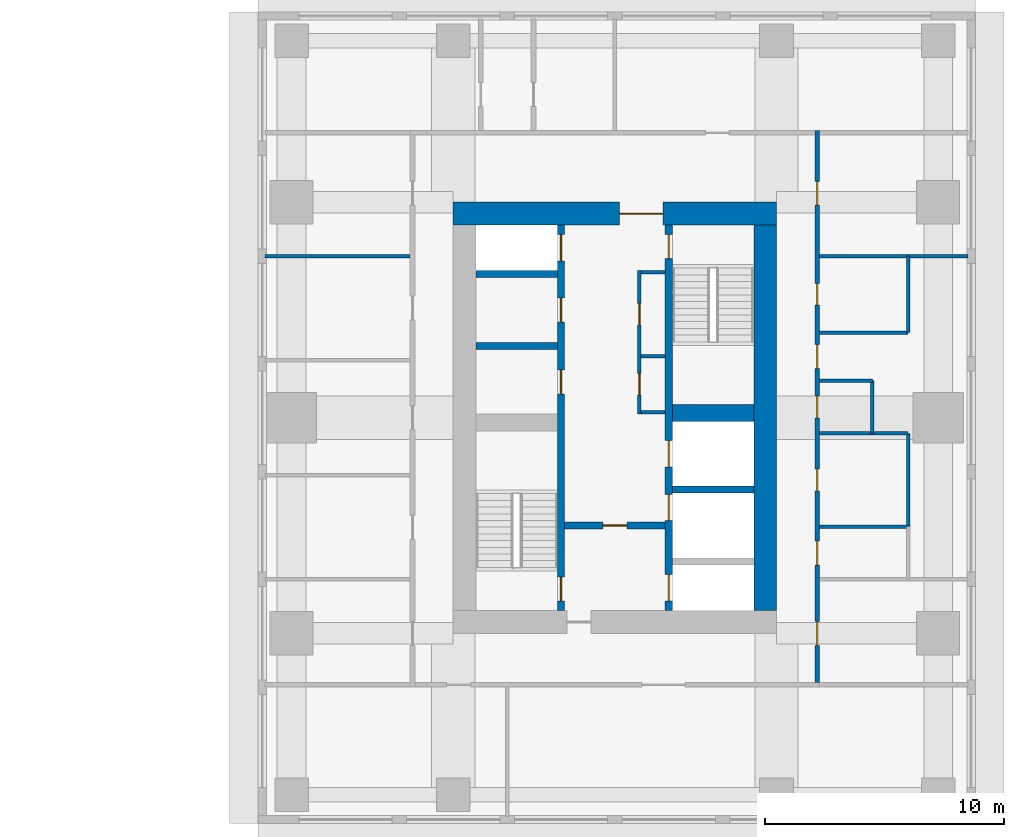
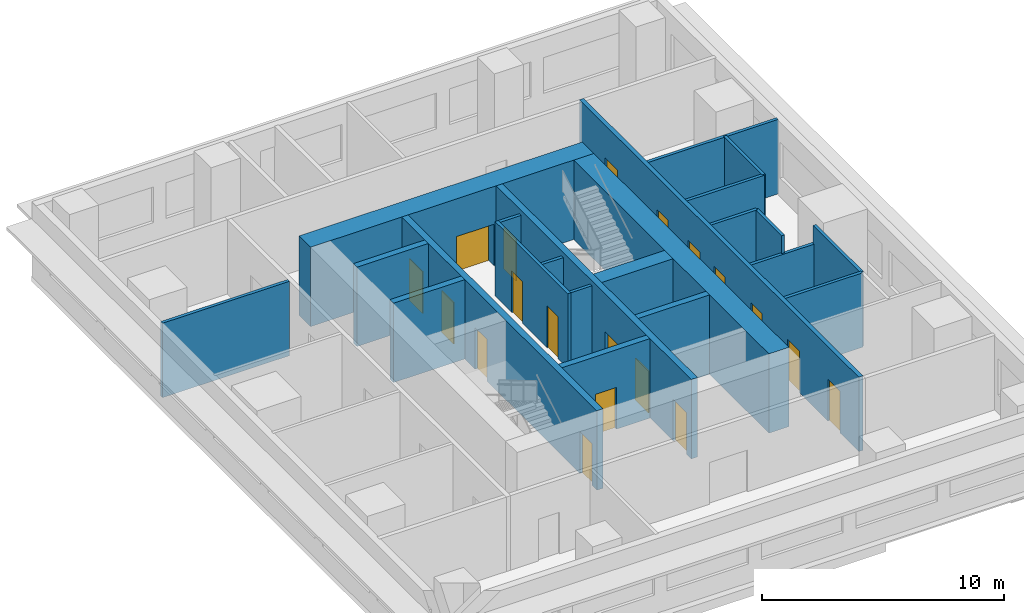
# One storey, part 7 of 11: 23 walls, 19 doors, 19 openings.
"""IFC4 building model written with IfcOpenShell, lengths in metres."""

from ifc_helpers import new_model, si_unit, direction, frame, frame_2d, origin, place, context, subcontext, project, spatial, rectangle, extrude, material, layer, layer_set, type_object, element, fill, save


model = new_model("IFC4")

# Units and contexts
model_context = context("Model", 3, precision=1e-05, world=origin(), true_north=direction((0.0, 1.0)))
body_context = subcontext(model_context, "Body", "Model", "MODEL_VIEW")
ifc_project = project(units=[si_unit("LENGTHUNIT", "METRE"), si_unit("AREAUNIT", "SQUARE_METRE"), si_unit("VOLUMEUNIT", "CUBIC_METRE"), si_unit("PLANEANGLEUNIT", "RADIAN"), si_unit("MASSUNIT", "GRAM", prefix="KILO")], contexts=[model_context])

# Site, building, storey
site_placement = place(None, origin())
site = spatial("IfcSite", under=ifc_project, at=site_placement, CompositionType="ELEMENT")
building_placement = place(site_placement, origin())
building = spatial("IfcBuilding", under=site, at=building_placement, Name="Namib Vertical Campus", CompositionType="ELEMENT")
storey_placement = place(building_placement, frame((0.0, 0.0, 185.0)))
storey = spatial("IfcBuildingStorey", under=building, at=storey_placement, Name="L43", CompositionType="ELEMENT", Elevation=185.0)

# Wall, openings, doors
ifc_material_1 = material(Name="Concrete C60/75", Category="concrete")
ifc_layer_1 = layer(ifc_material_1, 0.300048828125)
ifc_layer_set_1 = layer_set([ifc_layer_1], Name="Concrete C60/75")
wall_type_1 = type_object("IfcWallType", Name="Core inner wall 300", PredefinedType="SHEAR", material=ifc_layer_set_1)
wall_1_placement = place(storey_placement, frame((78.75, 12.199951171875, 0.0), z_axis=(0.0, 0.0, 1.0), x_axis=(0.0, 1.0, 0.0)))
wall_1 = element("IfcWall", 1, at=wall_1_placement, inside=storey, type_object=wall_type_1, Name="Core inner wall B L43 W1", PredefinedType="SHEAR", context=body_context, shape_type="SweptSolid", body=[
    extrude(rectangle(XDim=16.10009765625, YDim=0.300048828125, at=frame_2d((8.050048828125, 0.0))), origin(), (0.0, 0.0, 1.0), 4.0),
])
opening_1_placement = place(wall_1_placement, frame((0.39990234375, 0.0, 0.0)))
opening_1 = element("IfcOpeningElement", 2, at=opening_1_placement, cuts=wall_1, Name="Opening FD1", PredefinedType="OPENING", context=body_context, shape_type="SweptSolid", body=[
    extrude(rectangle(XDim=1.0, YDim=2.10009765625, at=frame_2d((0.5, 1.050048828125))), frame((0.0, 0.159912109375, 0.0), z_axis=(0.0, -1.0, 0.0), x_axis=(1.0, 0.0, 0.0)), (0.0, 0.0, 1.0), 0.320068359375),
])
opening_2_placement = place(wall_1_placement, frame((14.60009765625, 0.0, 0.0)))
opening_2 = element("IfcOpeningElement", 3, at=opening_2_placement, cuts=wall_1, Name="Opening LD1", PredefinedType="OPENING", context=body_context, shape_type="SweptSolid", body=[
    extrude(rectangle(XDim=1.10009765625, YDim=2.10009765625, at=frame_2d((0.550048828125, 1.050048828125))), frame((0.0, 0.159912109375, 0.0), z_axis=(0.0, -1.0, 0.0), x_axis=(1.0, 0.0, 0.0)), (0.0, 0.0, 1.0), 0.320068359375),
])
opening_3_placement = place(wall_1_placement, frame((9.050048828125, 0.0, 0.0)))
opening_3 = element("IfcOpeningElement", 4, at=opening_3_placement, cuts=wall_1, Name="Opening D1", PredefinedType="OPENING", context=body_context, shape_type="SweptSolid", body=[
    extrude(rectangle(XDim=1.0, YDim=2.10009765625, at=frame_2d((0.5, 1.050048828125))), frame((0.0, 0.159912109375, 0.0), z_axis=(0.0, -1.0, 0.0), x_axis=(1.0, 0.0, 0.0)), (0.0, 0.0, 1.0), 0.320068359375),
])
opening_4_placement = place(wall_1_placement, frame((12.050048828125, 0.0, 0.0)))
opening_4 = element("IfcOpeningElement", 5, at=opening_4_placement, cuts=wall_1, Name="Opening D1", PredefinedType="OPENING", context=body_context, shape_type="SweptSolid", body=[
    extrude(rectangle(XDim=1.0, YDim=2.10009765625, at=frame_2d((0.5, 1.050048828125))), frame((0.0, 0.159912109375, 0.0), z_axis=(0.0, -1.0, 0.0), x_axis=(1.0, 0.0, 0.0)), (0.0, 0.0, 1.0), 0.320068359375),
])
ifc_material_2 = material(Name="Timber door leaf", Category="wood")
door_type_1 = type_object("IfcDoorType", Name="Door single 1000x2100", OperationType="SINGLE_SWING_LEFT", PredefinedType="DOOR", material=ifc_material_2)
door_1_placement = place(opening_3_placement, origin())
door_1 = element("IfcDoor", 6, at=door_1_placement, inside=storey, type_object=door_type_1, Name="Door D1 Store B L43 P1", OperationType="SINGLE_SWING_LEFT", OverallHeight=2.10009765625, OverallWidth=1.0, PredefinedType="DOOR", context=body_context, shape_type="SweptSolid", body=[
    extrude(rectangle(XDim=1.0, YDim=2.10009765625, at=frame_2d((0.5, 1.050048828125))), frame((0.0, 0.02490234375, 0.0), z_axis=(0.0, -1.0, 0.0), x_axis=(1.0, 0.0, 0.0)), (0.0, 0.0, 1.0), 0.050048828125),
])
fill(opening_3, door_1)
door_2_placement = place(opening_4_placement, origin())
door_2 = element("IfcDoor", 7, at=door_2_placement, inside=storey, type_object=door_type_1, Name="Door D1 Comms room B L43 P2", OperationType="SINGLE_SWING_LEFT", OverallHeight=2.10009765625, OverallWidth=1.0, PredefinedType="DOOR", context=body_context, shape_type="SweptSolid", body=[
    extrude(rectangle(XDim=1.0, YDim=2.10009765625, at=frame_2d((0.5, 1.050048828125))), frame((0.0, 0.02490234375, 0.0), z_axis=(0.0, -1.0, 0.0), x_axis=(1.0, 0.0, 0.0)), (0.0, 0.0, 1.0), 0.050048828125),
])
fill(opening_4, door_2)
ifc_material_3 = material(Name="Steel fire door", Category="steel")
door_type_2 = type_object("IfcDoorType", Name="Fire door 1000x2100", OperationType="SINGLE_SWING_RIGHT", PredefinedType="DOOR", material=ifc_material_3)
door_3_placement = place(opening_1_placement, origin())
door_3 = element("IfcDoor", 8, at=door_3_placement, inside=storey, type_object=door_type_2, Name="Stair door FD1 B L43 S1", OperationType="SINGLE_SWING_LEFT", OverallHeight=2.10009765625, OverallWidth=1.0, PredefinedType="DOOR", context=body_context, shape_type="SweptSolid", body=[
    extrude(rectangle(XDim=1.0, YDim=2.10009765625, at=frame_2d((0.5, 1.050048828125))), frame((0.0, 0.02490234375, 0.0), z_axis=(0.0, -1.0, 0.0), x_axis=(1.0, 0.0, 0.0)), (0.0, 0.0, 1.0), 0.050048828125),
])
fill(opening_1, door_3)
ifc_material_4 = material(Name="Stainless steel lift door", Category="steel")
door_type_3 = type_object("IfcDoorType", Name="Lift landing door 1100x2100", OperationType="DOUBLE_DOOR_SLIDING", PredefinedType="DOOR", material=ifc_material_4)
door_4_placement = place(opening_2_placement, origin())
door_4 = element("IfcDoor", 9, at=door_4_placement, inside=storey, type_object=door_type_3, Name="Lift landing door LD1 B-P3 L43", OperationType="DOUBLE_DOOR_SLIDING", OverallHeight=2.10009765625, OverallWidth=1.10009765625, PredefinedType="DOOR", context=body_context, shape_type="SweptSolid", body=[
    extrude(rectangle(XDim=1.10009765625, YDim=2.10009765625, at=frame_2d((0.550048828125, 1.050048828125))), frame((0.0, 0.02490234375, 0.0), z_axis=(0.0, -1.0, 0.0), x_axis=(1.0, 0.0, 0.0)), (0.0, 0.0, 1.0), 0.050048828125),
])
fill(opening_2, door_4)

wall_2_placement = place(storey_placement, frame((83.25, 12.199951171875, 0.0), z_axis=(0.0, 0.0, 1.0), x_axis=(0.0, 1.0, 0.0)))
wall_2 = element("IfcWall", 10, at=wall_2_placement, inside=storey, type_object=wall_type_1, Name="Core inner wall B L43 W2", PredefinedType="SHEAR", context=body_context, shape_type="SweptSolid", body=[
    extrude(rectangle(XDim=16.10009765625, YDim=0.300048828125, at=frame_2d((8.050048828125, 0.0))), origin(), (0.0, 0.0, 1.0), 4.0),
])
opening_5_placement = place(wall_2_placement, frame((14.699951171875, 0.0, 0.0)))
opening_5 = element("IfcOpeningElement", 11, at=opening_5_placement, cuts=wall_2, Name="Opening FD1", PredefinedType="OPENING", context=body_context, shape_type="SweptSolid", body=[
    extrude(rectangle(XDim=1.0, YDim=2.10009765625, at=frame_2d((0.5, 1.050048828125))), frame((0.0, 0.159912109375, 0.0), z_axis=(0.0, -1.0, 0.0), x_axis=(1.0, 0.0, 0.0)), (0.0, 0.0, 1.0), 0.320068359375),
])
opening_6_placement = place(wall_2_placement, frame((0.39990234375, 0.0, 0.0)))
opening_6 = element("IfcOpeningElement", 12, at=opening_6_placement, cuts=wall_2, Name="Opening LD1", PredefinedType="OPENING", context=body_context, shape_type="SweptSolid", body=[
    extrude(rectangle(XDim=1.10009765625, YDim=2.10009765625, at=frame_2d((0.550048828125, 1.050048828125))), frame((0.0, 0.159912109375, 0.0), z_axis=(0.0, -1.0, 0.0), x_axis=(1.0, 0.0, 0.0)), (0.0, 0.0, 1.0), 0.320068359375),
])
opening_7_placement = place(wall_2_placement, frame((3.75, 0.0, 0.0)))
opening_7 = element("IfcOpeningElement", 13, at=opening_7_placement, cuts=wall_2, Name="Opening LD1", PredefinedType="OPENING", context=body_context, shape_type="SweptSolid", body=[
    extrude(rectangle(XDim=1.10009765625, YDim=2.10009765625, at=frame_2d((0.550048828125, 1.050048828125))), frame((0.0, 0.159912109375, 0.0), z_axis=(0.0, -1.0, 0.0), x_axis=(1.0, 0.0, 0.0)), (0.0, 0.0, 1.0), 0.320068359375),
])
opening_8_placement = place(wall_2_placement, frame((6.0, 0.0, 0.0)))
opening_8 = element("IfcOpeningElement", 14, at=opening_8_placement, cuts=wall_2, Name="Opening LD1", PredefinedType="OPENING", context=body_context, shape_type="SweptSolid", body=[
    extrude(rectangle(XDim=1.10009765625, YDim=2.10009765625, at=frame_2d((0.550048828125, 1.050048828125))), frame((0.0, 0.159912109375, 0.0), z_axis=(0.0, -1.0, 0.0), x_axis=(1.0, 0.0, 0.0)), (0.0, 0.0, 1.0), 0.320068359375),
])
door_5_placement = place(opening_5_placement, frame((1.0, 0.0, 0.0), z_axis=(0.0, 0.0, 1.0), x_axis=(-1.0, 0.0, 0.0)))
door_5 = element("IfcDoor", 15, at=door_5_placement, inside=storey, type_object=door_type_2, Name="Stair door FD1 B L43 S2", OperationType="SINGLE_SWING_LEFT", OverallHeight=2.10009765625, OverallWidth=1.0, PredefinedType="DOOR", context=body_context, shape_type="SweptSolid", body=[
    extrude(rectangle(XDim=1.0, YDim=2.10009765625, at=frame_2d((0.5, 1.050048828125))), frame((0.0, 0.02490234375, 0.0), z_axis=(0.0, -1.0, 0.0), x_axis=(1.0, 0.0, 0.0)), (0.0, 0.0, 1.0), 0.050048828125),
])
fill(opening_5, door_5)
door_6_placement = place(opening_6_placement, origin())
door_6 = element("IfcDoor", 16, at=door_6_placement, inside=storey, type_object=door_type_3, Name="Lift landing door LD1 B-FL1 L43", OperationType="DOUBLE_DOOR_SLIDING", OverallHeight=2.10009765625, OverallWidth=1.10009765625, PredefinedType="DOOR", context=body_context, shape_type="SweptSolid", body=[
    extrude(rectangle(XDim=1.10009765625, YDim=2.10009765625, at=frame_2d((0.550048828125, 1.050048828125))), frame((0.0, 0.02490234375, 0.0), z_axis=(0.0, -1.0, 0.0), x_axis=(1.0, 0.0, 0.0)), (0.0, 0.0, 1.0), 0.050048828125),
])
fill(opening_6, door_6)
door_7_placement = place(opening_7_placement, origin())
door_7 = element("IfcDoor", 17, at=door_7_placement, inside=storey, type_object=door_type_3, Name="Lift landing door LD1 B-P4 L43", OperationType="DOUBLE_DOOR_SLIDING", OverallHeight=2.10009765625, OverallWidth=1.10009765625, PredefinedType="DOOR", context=body_context, shape_type="SweptSolid", body=[
    extrude(rectangle(XDim=1.10009765625, YDim=2.10009765625, at=frame_2d((0.550048828125, 1.050048828125))), frame((0.0, 0.02490234375, 0.0), z_axis=(0.0, -1.0, 0.0), x_axis=(1.0, 0.0, 0.0)), (0.0, 0.0, 1.0), 0.050048828125),
])
fill(opening_7, door_7)
door_8_placement = place(opening_8_placement, origin())
door_8 = element("IfcDoor", 18, at=door_8_placement, inside=storey, type_object=door_type_3, Name="Lift landing door LD1 B-P5 L43", OperationType="DOUBLE_DOOR_SLIDING", OverallHeight=2.10009765625, OverallWidth=1.10009765625, PredefinedType="DOOR", context=body_context, shape_type="SweptSolid", body=[
    extrude(rectangle(XDim=1.10009765625, YDim=2.10009765625, at=frame_2d((0.550048828125, 1.050048828125))), frame((0.0, 0.02490234375, 0.0), z_axis=(0.0, -1.0, 0.0), x_axis=(1.0, 0.0, 0.0)), (0.0, 0.0, 1.0), 0.050048828125),
])
fill(opening_8, door_8)

# Wall, opening, door
wall_3_placement = place(storey_placement, frame((78.89990234375, 15.75, 0.0), z_axis=(0.0, 0.0, 1.0), x_axis=(1.0, 0.0, 0.0)))
wall_3 = element("IfcWall", 19, at=wall_3_placement, inside=storey, type_object=wall_type_1, Name="Core inner wall B L43 W4", PredefinedType="SHEAR", context=body_context, shape_type="SweptSolid", body=[
    extrude(rectangle(XDim=4.2001953125, YDim=0.300048828125, at=frame_2d((2.10009765625, 0.0))), origin(), (0.0, 0.0, 1.0), 4.0),
])
opening_9_placement = place(wall_3_placement, frame((1.60009765625, 0.0, 0.0)))
opening_9 = element("IfcOpeningElement", 20, at=opening_9_placement, cuts=wall_3, Name="Opening FD5", PredefinedType="OPENING", context=body_context, shape_type="SweptSolid", body=[
    extrude(rectangle(XDim=1.0, YDim=2.10009765625, at=frame_2d((0.5, 1.050048828125))), frame((0.0, 0.159912109375, 0.0), z_axis=(0.0, -1.0, 0.0), x_axis=(1.0, 0.0, 0.0)), (0.0, 0.0, 1.0), 0.320068359375),
])
ifc_material_5 = material(Name="Steel fire door", Category="steel")
door_type_4 = type_object("IfcDoorType", Name="Fire door 1000x2100 120 min", OperationType="SINGLE_SWING_RIGHT", PredefinedType="DOOR", material=ifc_material_5)
door_9_placement = place(opening_9_placement, frame((1.0, 0.0, 0.0), z_axis=(0.0, 0.0, 1.0), x_axis=(-1.0, 0.0, 0.0)))
door_9 = element("IfcDoor", 21, at=door_9_placement, inside=storey, type_object=door_type_4, Name="Lobby door FD5 B L43", OperationType="SINGLE_SWING_RIGHT", OverallHeight=2.10009765625, OverallWidth=1.0, PredefinedType="DOOR", context=body_context, shape_type="SweptSolid", body=[
    extrude(rectangle(XDim=1.0, YDim=2.10009765625, at=frame_2d((0.5, 1.050048828125))), frame((0.0, 0.02490234375, 0.0), z_axis=(0.0, -1.0, 0.0), x_axis=(1.0, 0.0, 0.0)), (0.0, 0.0, 1.0), 0.050048828125),
])
fill(opening_9, door_9)

# Walls
for number, where, z_axis, x_axis, name in (
    (22, (83.39990234375, 17.25, 0.0), (0.0, 0.0, 1.0), (1.0, 0.0, 0.0), "Core inner wall B L43 W6"),
    (23, (75.199951171875, 23.25, 0.0), (0.0, 0.0, 1.0), (1.0, 0.0, 0.0), "Core inner wall B L43 W8"),
    (24, (75.199951171875, 26.25, 0.0), (0.0, 0.0, 1.0), (1.0, 0.0, 0.0), "Core inner wall B L43 W9"),
):
    element("IfcWall", number, at=place(storey_placement, frame(where, z_axis=z_axis, x_axis=x_axis)), inside=storey, type_object=wall_type_1, Name=name, PredefinedType="SHEAR", context=body_context, shape_type="SweptSolid", body=[
        extrude(rectangle(XDim=3.400146484375, YDim=0.300048828125, at=frame_2d((1.7001953125, 0.0))), origin(), (0.0, 0.0, 1.0), 4.0),
    ])
ifc_material_6 = material(Name="Concrete C60/75", Category="concrete")
ifc_layer_2 = layer(ifc_material_6, 0.699951171875)
ifc_layer_set_2 = layer_set([ifc_layer_2], Name="Concrete C60/75")
wall_type_2 = type_object("IfcWallType", Name="Core shear wall 700", PredefinedType="SHEAR", material=ifc_layer_set_2)
wall_4_placement = place(storey_placement, frame((83.39990234375, 20.449951171875, 0.0), z_axis=(0.0, 0.0, 1.0), x_axis=(1.0, 0.0, 0.0)))
element("IfcWall", 25, at=wall_4_placement, inside=storey, type_object=wall_type_2, Name="Core shear wall B L43 W7", PredefinedType="SHEAR", context=body_context, shape_type="SweptSolid", body=[
    extrude(rectangle(XDim=3.400146484375, YDim=0.699951171875, at=frame_2d((1.7001953125, 0.0))), origin(), (0.0, 0.0, 1.0), 4.0),
])
ifc_material_7 = material(Name="Concrete C60/75", Category="concrete")
ifc_layer_3 = layer(ifc_material_7, 0.949951171875)
ifc_layer_set_3 = layer_set([ifc_layer_3], Name="Concrete C60/75")
wall_type_3 = type_object("IfcWallType", Name="Core wall 950", PredefinedType="SHEAR", material=ifc_layer_set_3)
wall_5_placement = place(storey_placement, frame((87.27490234375, 12.199951171875, 0.0), z_axis=(0.0, 0.0, 1.0), x_axis=(0.0, 1.0, 0.0)))
element("IfcWall", 26, at=wall_5_placement, inside=storey, type_object=wall_type_3, Name="Core wall B L43 2", PredefinedType="SHEAR", context=body_context, shape_type="SweptSolid", body=[
    extrude(rectangle(XDim=16.10009765625, YDim=0.949951171875, at=frame_2d((8.050048828125, 0.0))), origin(), (0.0, 0.0, 1.0), 4.0),
])

# Wall, opening, door
wall_6_placement = place(storey_placement, frame((87.75, 28.77490234375, 0.0), z_axis=(0.0, 0.0, 1.0), x_axis=(-1.0, 0.0, 0.0)))
wall_6 = element("IfcWall", 27, at=wall_6_placement, inside=storey, type_object=wall_type_3, Name="Core wall B L43 3", PredefinedType="SHEAR", context=body_context, shape_type="SweptSolid", body=[
    extrude(rectangle(XDim=13.5, YDim=0.949951171875, at=frame_2d((6.75, 0.0))), origin(), (0.0, 0.0, 1.0), 4.0),
])
opening_10_placement = place(wall_6_placement, frame((4.75, 0.0, 0.0)))
opening_10 = element("IfcOpeningElement", 28, at=opening_10_placement, cuts=wall_6, Name="Opening FD2", PredefinedType="OPENING", context=body_context, shape_type="SweptSolid", body=[
    extrude(rectangle(XDim=1.800048828125, YDim=2.10009765625, at=frame_2d((0.89990234375, 1.050048828125))), frame((0.0, 0.48486328125, 0.0), z_axis=(0.0, -1.0, 0.0), x_axis=(1.0, 0.0, 0.0)), (0.0, 0.0, 1.0), 0.969970703125),
])
ifc_material_8 = material(Name="Steel fire door", Category="steel")
door_type_5 = type_object("IfcDoorType", Name="Fire door double 1800x2100", OperationType="DOUBLE_DOOR_SINGLE_SWING", PredefinedType="DOOR", material=ifc_material_8)
door_10_placement = place(opening_10_placement, origin())
door_10 = element("IfcDoor", 29, at=door_10_placement, inside=storey, type_object=door_type_5, Name="Lift lobby door FD2 B L43", OperationType="DOUBLE_DOOR_SINGLE_SWING", OverallHeight=2.10009765625, OverallWidth=1.800048828125, PredefinedType="DOOR", context=body_context, shape_type="SweptSolid", body=[
    extrude(rectangle(XDim=1.800048828125, YDim=2.10009765625, at=frame_2d((0.89990234375, 1.050048828125))), frame((0.0, 0.02490234375, 0.0), z_axis=(0.0, -1.0, 0.0), x_axis=(1.0, 0.0, 0.0)), (0.0, 0.0, 1.0), 0.050048828125),
])
fill(opening_10, door_10)

# Wall, openings, doors
ifc_material_9 = material(Name="Concrete masonry", Category="masonry")
ifc_layer_4 = layer(ifc_material_9, 0.199951171875)
ifc_layer_set_4 = layer_set([ifc_layer_4], Name="Corridor wall 200")
wall_type_4 = type_object("IfcWallType", Name="Corridor wall 200", PredefinedType="SOLIDWALL", material=ifc_layer_set_4)
wall_7_placement = place(storey_placement, frame((89.449951171875, 9.199951171875, 0.0), z_axis=(0.0, 0.0, 1.0), x_axis=(0.0, 1.0, 0.0)))
wall_7 = element("IfcWall", 30, at=wall_7_placement, inside=storey, type_object=wall_type_4, Name="Corridor wall B L43 CE", PredefinedType="SOLIDWALL", context=body_context, shape_type="SweptSolid", body=[
    extrude(rectangle(XDim=23.050048828125, YDim=0.199951171875, at=frame_2d((11.52490234375, 0.0))), origin(), (0.0, 0.0, 1.0), 3.75),
])
opening_11_placement = place(wall_7_placement, frame((1.550048828125, 0.0, 0.0)))
opening_11 = element("IfcOpeningElement", 31, at=opening_11_placement, cuts=wall_7, Name="Opening CD1", PredefinedType="OPENING", context=body_context, shape_type="SweptSolid", body=[
    extrude(rectangle(XDim=1.0, YDim=2.10009765625, at=frame_2d((0.5, 1.050048828125))), frame((0.0, 0.10986328125, 0.0), z_axis=(0.0, -1.0, 0.0), x_axis=(1.0, 0.0, 0.0)), (0.0, 0.0, 1.0), 0.219970703125),
])
opening_12_placement = place(wall_7_placement, frame((4.89990234375, 0.0, 0.0)))
opening_12 = element("IfcOpeningElement", 32, at=opening_12_placement, cuts=wall_7, Name="Opening CD1", PredefinedType="OPENING", context=body_context, shape_type="SweptSolid", body=[
    extrude(rectangle(XDim=1.0, YDim=2.10009765625, at=frame_2d((0.5, 1.050048828125))), frame((0.0, 0.10986328125, 0.0), z_axis=(0.0, -1.0, 0.0), x_axis=(1.0, 0.0, 0.0)), (0.0, 0.0, 1.0), 0.219970703125),
])
opening_13_placement = place(wall_7_placement, frame((8.0, 0.0, 0.0)))
opening_13 = element("IfcOpeningElement", 33, at=opening_13_placement, cuts=wall_7, Name="Opening CD3", PredefinedType="OPENING", context=body_context, shape_type="SweptSolid", body=[
    extrude(rectangle(XDim=0.89990234375, YDim=2.10009765625, at=frame_2d((0.449951171875, 1.050048828125))), frame((0.0, 0.10986328125, 0.0), z_axis=(0.0, -1.0, 0.0), x_axis=(1.0, 0.0, 0.0)), (0.0, 0.0, 1.0), 0.219970703125),
])
opening_14_placement = place(wall_7_placement, frame((11.050048828125, 0.0, 0.0)))
opening_14 = element("IfcOpeningElement", 34, at=opening_14_placement, cuts=wall_7, Name="Opening CD3", PredefinedType="OPENING", context=body_context, shape_type="SweptSolid", body=[
    extrude(rectangle(XDim=0.89990234375, YDim=2.10009765625, at=frame_2d((0.449951171875, 1.050048828125))), frame((0.0, 0.10986328125, 0.0), z_axis=(0.0, -1.0, 0.0), x_axis=(1.0, 0.0, 0.0)), (0.0, 0.0, 1.0), 0.219970703125),
])
opening_15_placement = place(wall_7_placement, frame((15.75, 0.0, 0.0)))
opening_15 = element("IfcOpeningElement", 35, at=opening_15_placement, cuts=wall_7, Name="Opening CD3", PredefinedType="OPENING", context=body_context, shape_type="SweptSolid", body=[
    extrude(rectangle(XDim=0.89990234375, YDim=2.10009765625, at=frame_2d((0.449951171875, 1.050048828125))), frame((0.0, 0.10986328125, 0.0), z_axis=(0.0, -1.0, 0.0), x_axis=(1.0, 0.0, 0.0)), (0.0, 0.0, 1.0), 0.219970703125),
])
opening_16_placement = place(wall_7_placement, frame((13.10009765625, 0.0, 0.0)))
opening_16 = element("IfcOpeningElement", 36, at=opening_16_placement, cuts=wall_7, Name="Opening CD1", PredefinedType="OPENING", context=body_context, shape_type="SweptSolid", body=[
    extrude(rectangle(XDim=1.0, YDim=2.10009765625, at=frame_2d((0.5, 1.050048828125))), frame((0.0, 0.10986328125, 0.0), z_axis=(0.0, -1.0, 0.0), x_axis=(1.0, 0.0, 0.0)), (0.0, 0.0, 1.0), 0.219970703125),
])
opening_17_placement = place(wall_7_placement, frame((19.925048828125, 0.0, 0.0)))
opening_17 = element("IfcOpeningElement", 37, at=opening_17_placement, cuts=wall_7, Name="Opening CD1", PredefinedType="OPENING", context=body_context, shape_type="SweptSolid", body=[
    extrude(rectangle(XDim=1.0, YDim=2.10009765625, at=frame_2d((0.5, 1.050048828125))), frame((0.0, 0.10986328125, 0.0), z_axis=(0.0, -1.0, 0.0), x_axis=(1.0, 0.0, 0.0)), (0.0, 0.0, 1.0), 0.219970703125),
])
ifc_material_10 = material(Name="Timber fire door leaf", Category="wood")
door_type_6 = type_object("IfcDoorType", Name="Corridor door 1000x2100 20 min", OperationType="SINGLE_SWING_LEFT", PredefinedType="DOOR", material=ifc_material_10)
door_11_placement = place(opening_11_placement, frame((1.0, 0.0, 0.0), z_axis=(0.0, 0.0, 1.0), x_axis=(-1.0, 0.0, 0.0)))
door_11 = element("IfcDoor", 38, at=door_11_placement, inside=storey, type_object=door_type_6, Name="Door CD1 B43-03", OperationType="SINGLE_SWING_RIGHT", OverallHeight=2.10009765625, OverallWidth=1.0, PredefinedType="DOOR", context=body_context, shape_type="SweptSolid", body=[
    extrude(rectangle(XDim=1.0, YDim=2.10009765625, at=frame_2d((0.5, 1.050048828125))), frame((0.0, 0.02490234375, 0.0), z_axis=(0.0, -1.0, 0.0), x_axis=(1.0, 0.0, 0.0)), (0.0, 0.0, 1.0), 0.050048828125),
])
fill(opening_11, door_11)
door_12_placement = place(opening_12_placement, frame((1.0, 0.0, 0.0), z_axis=(0.0, 0.0, 1.0), x_axis=(-1.0, 0.0, 0.0)))
door_12 = element("IfcDoor", 39, at=door_12_placement, inside=storey, type_object=door_type_6, Name="Door CD1 B43-04", OperationType="SINGLE_SWING_RIGHT", OverallHeight=2.10009765625, OverallWidth=1.0, PredefinedType="DOOR", context=body_context, shape_type="SweptSolid", body=[
    extrude(rectangle(XDim=1.0, YDim=2.10009765625, at=frame_2d((0.5, 1.050048828125))), frame((0.0, 0.02490234375, 0.0), z_axis=(0.0, -1.0, 0.0), x_axis=(1.0, 0.0, 0.0)), (0.0, 0.0, 1.0), 0.050048828125),
])
fill(opening_12, door_12)
door_13_placement = place(opening_16_placement, frame((1.0, 0.0, 0.0), z_axis=(0.0, 0.0, 1.0), x_axis=(-1.0, 0.0, 0.0)))
door_13 = element("IfcDoor", 40, at=door_13_placement, inside=storey, type_object=door_type_6, Name="Door CD1 B43-08", OperationType="SINGLE_SWING_RIGHT", OverallHeight=2.10009765625, OverallWidth=1.0, PredefinedType="DOOR", context=body_context, shape_type="SweptSolid", body=[
    extrude(rectangle(XDim=1.0, YDim=2.10009765625, at=frame_2d((0.5, 1.050048828125))), frame((0.0, 0.02490234375, 0.0), z_axis=(0.0, -1.0, 0.0), x_axis=(1.0, 0.0, 0.0)), (0.0, 0.0, 1.0), 0.050048828125),
])
fill(opening_16, door_13)
door_14_placement = place(opening_17_placement, frame((1.0, 0.0, 0.0), z_axis=(0.0, 0.0, 1.0), x_axis=(-1.0, 0.0, 0.0)))
door_14 = element("IfcDoor", 41, at=door_14_placement, inside=storey, type_object=door_type_6, Name="Door CD1 B43-09", OperationType="SINGLE_SWING_RIGHT", OverallHeight=2.10009765625, OverallWidth=1.0, PredefinedType="DOOR", context=body_context, shape_type="SweptSolid", body=[
    extrude(rectangle(XDim=1.0, YDim=2.10009765625, at=frame_2d((0.5, 1.050048828125))), frame((0.0, 0.02490234375, 0.0), z_axis=(0.0, -1.0, 0.0), x_axis=(1.0, 0.0, 0.0)), (0.0, 0.0, 1.0), 0.050048828125),
])
fill(opening_17, door_14)
ifc_material_11 = material(Name="Timber fire door leaf", Category="wood")
door_type_7 = type_object("IfcDoorType", Name="Corridor toilet door 900x2100 20 min", OperationType="SINGLE_SWING_LEFT", PredefinedType="DOOR", material=ifc_material_11)
door_15_placement = place(opening_13_placement, frame((0.89990234375, 0.0, 0.0), z_axis=(0.0, 0.0, 1.0), x_axis=(-1.0, 0.0, 0.0)))
door_15 = element("IfcDoor", 42, at=door_15_placement, inside=storey, type_object=door_type_7, Name="Door CD3 B43-05", OperationType="SINGLE_SWING_RIGHT", OverallHeight=2.10009765625, OverallWidth=0.89990234375, PredefinedType="DOOR", context=body_context, shape_type="SweptSolid", body=[
    extrude(rectangle(XDim=0.89990234375, YDim=2.10009765625, at=frame_2d((0.449951171875, 1.050048828125))), frame((0.0, 0.02490234375, 0.0), z_axis=(0.0, -1.0, 0.0), x_axis=(1.0, 0.0, 0.0)), (0.0, 0.0, 1.0), 0.050048828125),
])
fill(opening_13, door_15)
door_16_placement = place(opening_14_placement, frame((0.89990234375, 0.0, 0.0), z_axis=(0.0, 0.0, 1.0), x_axis=(-1.0, 0.0, 0.0)))
door_16 = element("IfcDoor", 43, at=door_16_placement, inside=storey, type_object=door_type_7, Name="Door CD3 B43-06", OperationType="SINGLE_SWING_RIGHT", OverallHeight=2.10009765625, OverallWidth=0.89990234375, PredefinedType="DOOR", context=body_context, shape_type="SweptSolid", body=[
    extrude(rectangle(XDim=0.89990234375, YDim=2.10009765625, at=frame_2d((0.449951171875, 1.050048828125))), frame((0.0, 0.02490234375, 0.0), z_axis=(0.0, -1.0, 0.0), x_axis=(1.0, 0.0, 0.0)), (0.0, 0.0, 1.0), 0.050048828125),
])
fill(opening_14, door_16)
door_17_placement = place(opening_15_placement, frame((0.89990234375, 0.0, 0.0), z_axis=(0.0, 0.0, 1.0), x_axis=(-1.0, 0.0, 0.0)))
door_17 = element("IfcDoor", 44, at=door_17_placement, inside=storey, type_object=door_type_7, Name="Door CD3 B43-07", OperationType="SINGLE_SWING_RIGHT", OverallHeight=2.10009765625, OverallWidth=0.89990234375, PredefinedType="DOOR", context=body_context, shape_type="SweptSolid", body=[
    extrude(rectangle(XDim=0.89990234375, YDim=2.10009765625, at=frame_2d((0.449951171875, 1.050048828125))), frame((0.0, 0.02490234375, 0.0), z_axis=(0.0, -1.0, 0.0), x_axis=(1.0, 0.0, 0.0)), (0.0, 0.0, 1.0), 0.050048828125),
])
fill(opening_15, door_17)

ifc_material_12 = material(Name="Gypsum board on steel studs", Category="steel")
ifc_layer_5 = layer(ifc_material_12, 0.14990234375)
ifc_layer_set_5 = layer_set([ifc_layer_5], Name="Gypsum board on steel studs")
wall_type_5 = type_object("IfcWallType", Name="Partition 150", PredefinedType="PARTITIONING", material=ifc_layer_set_5)
wall_8_placement = place(storey_placement, frame((82.02490234375, 20.39990234375, 0.0), z_axis=(0.0, 0.0, 1.0), x_axis=(0.0, 1.0, 0.0)))
wall_8 = element("IfcWall", 45, at=wall_8_placement, inside=storey, type_object=wall_type_5, Name="Partition B L43 Cleaners' store and Tea point front", PredefinedType="PARTITIONING", context=body_context, shape_type="SweptSolid", body=[
    extrude(rectangle(XDim=6.0, YDim=0.14990234375, at=frame_2d((3.0, 0.0))), origin(), (0.0, 0.0, 1.0), 3.75),
])
opening_18_placement = place(wall_8_placement, frame((0.800048828125, 0.0, 0.0)))
opening_18 = element("IfcOpeningElement", 46, at=opening_18_placement, cuts=wall_8, Name="Opening D3", PredefinedType="OPENING", context=body_context, shape_type="SweptSolid", body=[
    extrude(rectangle(XDim=0.89990234375, YDim=2.10009765625, at=frame_2d((0.449951171875, 1.050048828125))), frame((0.0, 0.0849609375, 0.0), z_axis=(0.0, -1.0, 0.0), x_axis=(1.0, 0.0, 0.0)), (0.0, 0.0, 1.0), 0.169921875),
])
opening_19_placement = place(wall_8_placement, frame((3.72509765625, 0.0, 0.0)))
opening_19 = element("IfcOpeningElement", 47, at=opening_19_placement, cuts=wall_8, Name="Opening D3", PredefinedType="OPENING", context=body_context, shape_type="SweptSolid", body=[
    extrude(rectangle(XDim=0.89990234375, YDim=2.10009765625, at=frame_2d((0.449951171875, 1.050048828125))), frame((0.0, 0.0849609375, 0.0), z_axis=(0.0, -1.0, 0.0), x_axis=(1.0, 0.0, 0.0)), (0.0, 0.0, 1.0), 0.169921875),
])
ifc_material_13 = material(Name="Timber door leaf", Category="wood")
door_type_8 = type_object("IfcDoorType", Name="Toilet door 900x2100", OperationType="SINGLE_SWING_LEFT", PredefinedType="DOOR", material=ifc_material_13)
door_18_placement = place(opening_18_placement, frame((0.89990234375, 0.0, 0.0), z_axis=(0.0, 0.0, 1.0), x_axis=(-1.0, 0.0, 0.0)))
door_18 = element("IfcDoor", 48, at=door_18_placement, inside=storey, type_object=door_type_8, Name="Door D3 Cleaners' store B L43", OperationType="SINGLE_SWING_RIGHT", OverallHeight=2.10009765625, OverallWidth=0.89990234375, PredefinedType="DOOR", context=body_context, shape_type="SweptSolid", body=[
    extrude(rectangle(XDim=0.89990234375, YDim=2.10009765625, at=frame_2d((0.449951171875, 1.050048828125))), frame((0.0, 0.02490234375, 0.0), z_axis=(0.0, -1.0, 0.0), x_axis=(1.0, 0.0, 0.0)), (0.0, 0.0, 1.0), 0.050048828125),
])
fill(opening_18, door_18)
door_19_placement = place(opening_19_placement, frame((0.89990234375, 0.0, 0.0), z_axis=(0.0, 0.0, 1.0), x_axis=(-1.0, 0.0, 0.0)))
door_19 = element("IfcDoor", 49, at=door_19_placement, inside=storey, type_object=door_type_8, Name="Door D3 Tea point B L43", OperationType="SINGLE_SWING_RIGHT", OverallHeight=2.10009765625, OverallWidth=0.89990234375, PredefinedType="DOOR", context=body_context, shape_type="SweptSolid", body=[
    extrude(rectangle(XDim=0.89990234375, YDim=2.10009765625, at=frame_2d((0.449951171875, 1.050048828125))), frame((0.0, 0.02490234375, 0.0), z_axis=(0.0, -1.0, 0.0), x_axis=(1.0, 0.0, 0.0)), (0.0, 0.0, 1.0), 0.050048828125),
])
fill(opening_19, door_19)

# Walls
for number, where, z_axis, x_axis, name in (
    (50, (82.10009765625, 20.47509765625, 0.0), (0.0, 0.0, 1.0), (1.0, 0.0, 0.0), "Partition B L43 Cleaners' store and Tea point end 1"),
    (51, (82.10009765625, 22.824951171875, 0.0), (0.0, 0.0, 1.0), (1.0, 0.0, 0.0), "Partition B L43 Cleaners' store and Tea point division 2"),
    (52, (82.10009765625, 26.324951171875, 0.0), (0.0, 0.0, 1.0), (1.0, 0.0, 0.0), "Partition B L43 Cleaners' store and Tea point end 3"),
):
    element("IfcWall", number, at=place(storey_placement, frame(where, z_axis=z_axis, x_axis=x_axis)), inside=storey, type_object=wall_type_5, Name=name, PredefinedType="PARTITIONING", context=body_context, shape_type="SweptSolid", body=[
        extrude(rectangle(XDim=1.0, YDim=0.14990234375, at=frame_2d((0.5, 0.0))), origin(), (0.0, 0.0, 1.0), 3.75),
    ])
wall_9_placement = place(storey_placement, frame((89.550048828125, 27.0, 0.0), z_axis=(0.0, 0.0, 1.0), x_axis=(1.0, 0.0, 0.0)))
element("IfcWall", 53, at=wall_9_placement, inside=storey, type_object=wall_type_5, Name="Partition B L43 PE2", PredefinedType="PARTITIONING", context=body_context, shape_type="SweptSolid", body=[
    extrude(rectangle(XDim=6.199951171875, YDim=0.14990234375, at=frame_2d((3.10009765625, 0.0))), origin(), (0.0, 0.0, 1.0), 3.75),
])
wall_10_placement = place(storey_placement, frame((66.39990234375, 27.0, 0.0), z_axis=(0.0, 0.0, 1.0), x_axis=(1.0, 0.0, 0.0)))
element("IfcWall", 54, at=wall_10_placement, inside=storey, type_object=wall_type_5, Name="Partition B L43 PW4", PredefinedType="PARTITIONING", context=body_context, shape_type="SweptSolid", body=[
    extrude(rectangle(XDim=6.050048828125, YDim=0.14990234375, at=frame_2d((3.02490234375, 0.0))), origin(), (0.0, 0.0, 1.0), 3.75),
])
wall_11_placement = place(storey_placement, frame((89.550048828125, 15.699951171875, 0.0), z_axis=(0.0, 0.0, 1.0), x_axis=(1.0, 0.0, 0.0)))
element("IfcWall", 55, at=wall_11_placement, inside=storey, type_object=wall_type_5, Name="Partition B L43 WR1", PredefinedType="PARTITIONING", context=body_context, shape_type="SweptSolid", body=[
    extrude(rectangle(XDim=3.699951171875, YDim=0.14990234375, at=frame_2d((1.85009765625, 0.0))), origin(), (0.0, 0.0, 1.0), 3.75),
])
wall_12_placement = place(storey_placement, frame((89.550048828125, 19.60009765625, 0.0), z_axis=(0.0, 0.0, 1.0), x_axis=(1.0, 0.0, 0.0)))
element("IfcWall", 56, at=wall_12_placement, inside=storey, type_object=wall_type_5, Name="Partition B L43 WR2", PredefinedType="PARTITIONING", context=body_context, shape_type="SweptSolid", body=[
    extrude(rectangle(XDim=3.699951171875, YDim=0.14990234375, at=frame_2d((1.85009765625, 0.0))), origin(), (0.0, 0.0, 1.0), 2.85009765625),
])
wall_13_placement = place(storey_placement, frame((89.550048828125, 21.800048828125, 0.0), z_axis=(0.0, 0.0, 1.0), x_axis=(1.0, 0.0, 0.0)))
element("IfcWall", 57, at=wall_13_placement, inside=storey, type_object=wall_type_5, Name="Partition B L43 WR3", PredefinedType="PARTITIONING", context=body_context, shape_type="SweptSolid", body=[
    extrude(rectangle(XDim=2.199951171875, YDim=0.14990234375, at=frame_2d((1.10009765625, 0.0))), origin(), (0.0, 0.0, 1.0), 3.75),
])
wall_14_placement = place(storey_placement, frame((89.550048828125, 23.800048828125, 0.0), z_axis=(0.0, 0.0, 1.0), x_axis=(1.0, 0.0, 0.0)))
element("IfcWall", 58, at=wall_14_placement, inside=storey, type_object=wall_type_5, Name="Partition B L43 WR4", PredefinedType="PARTITIONING", context=body_context, shape_type="SweptSolid", body=[
    extrude(rectangle(XDim=3.699951171875, YDim=0.14990234375, at=frame_2d((1.85009765625, 0.0))), origin(), (0.0, 0.0, 1.0), 3.75),
])
wall_15_placement = place(storey_placement, frame((93.25, 15.699951171875, 0.0), z_axis=(0.0, 0.0, 1.0), x_axis=(0.0, 1.0, 0.0)))
element("IfcWall", 59, at=wall_15_placement, inside=storey, type_object=wall_type_5, Name="Partition B L43 WB2", PredefinedType="PARTITIONING", context=body_context, shape_type="SweptSolid", body=[
    extrude(rectangle(XDim=3.900146484375, YDim=0.14990234375, at=frame_2d((1.9501953125, 0.0))), origin(), (0.0, 0.0, 1.0), 3.75),
])
wall_16_placement = place(storey_placement, frame((91.75, 19.60009765625, 0.0), z_axis=(0.0, 0.0, 1.0), x_axis=(0.0, 1.0, 0.0)))
element("IfcWall", 60, at=wall_16_placement, inside=storey, type_object=wall_type_5, Name="Partition B L43 WB3", PredefinedType="PARTITIONING", context=body_context, shape_type="SweptSolid", body=[
    extrude(rectangle(XDim=2.199951171875, YDim=0.14990234375, at=frame_2d((1.10009765625, 0.0))), origin(), (0.0, 0.0, 1.0), 3.75),
])
wall_17_placement = place(storey_placement, frame((93.25, 23.800048828125, 0.0), z_axis=(0.0, 0.0, 1.0), x_axis=(0.0, 1.0, 0.0)))
element("IfcWall", 61, at=wall_17_placement, inside=storey, type_object=wall_type_5, Name="Partition B L43 WB4", PredefinedType="PARTITIONING", context=body_context, shape_type="SweptSolid", body=[
    extrude(rectangle(XDim=3.199951171875, YDim=0.14990234375, at=frame_2d((1.60009765625, 0.0))), origin(), (0.0, 0.0, 1.0), 3.75),
])

save(model, "model.ifc")
